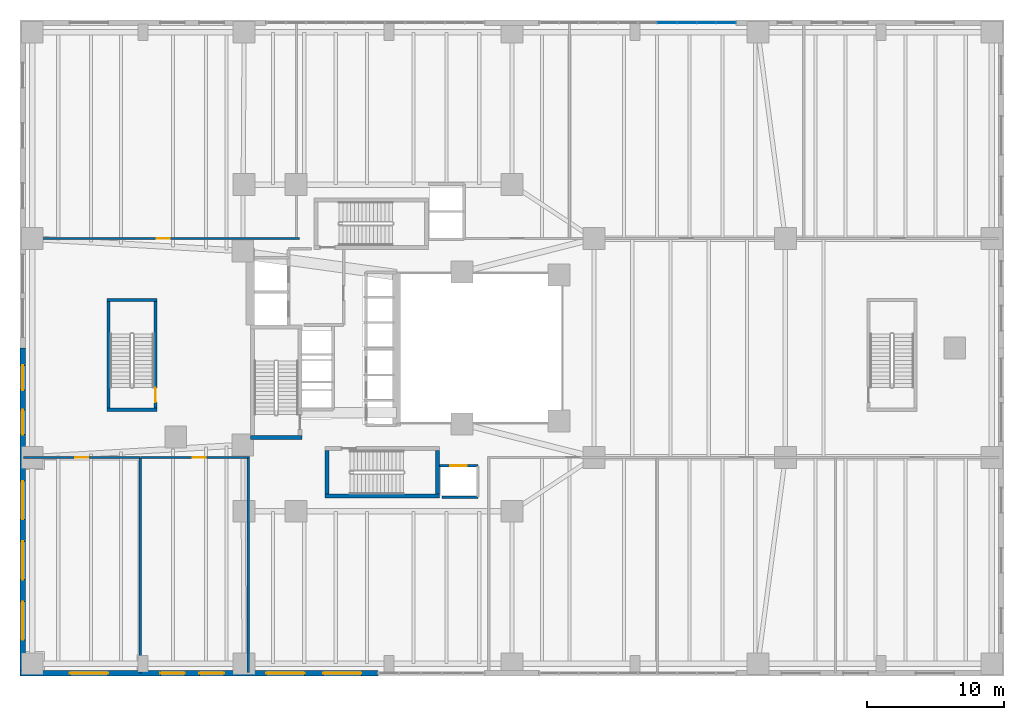
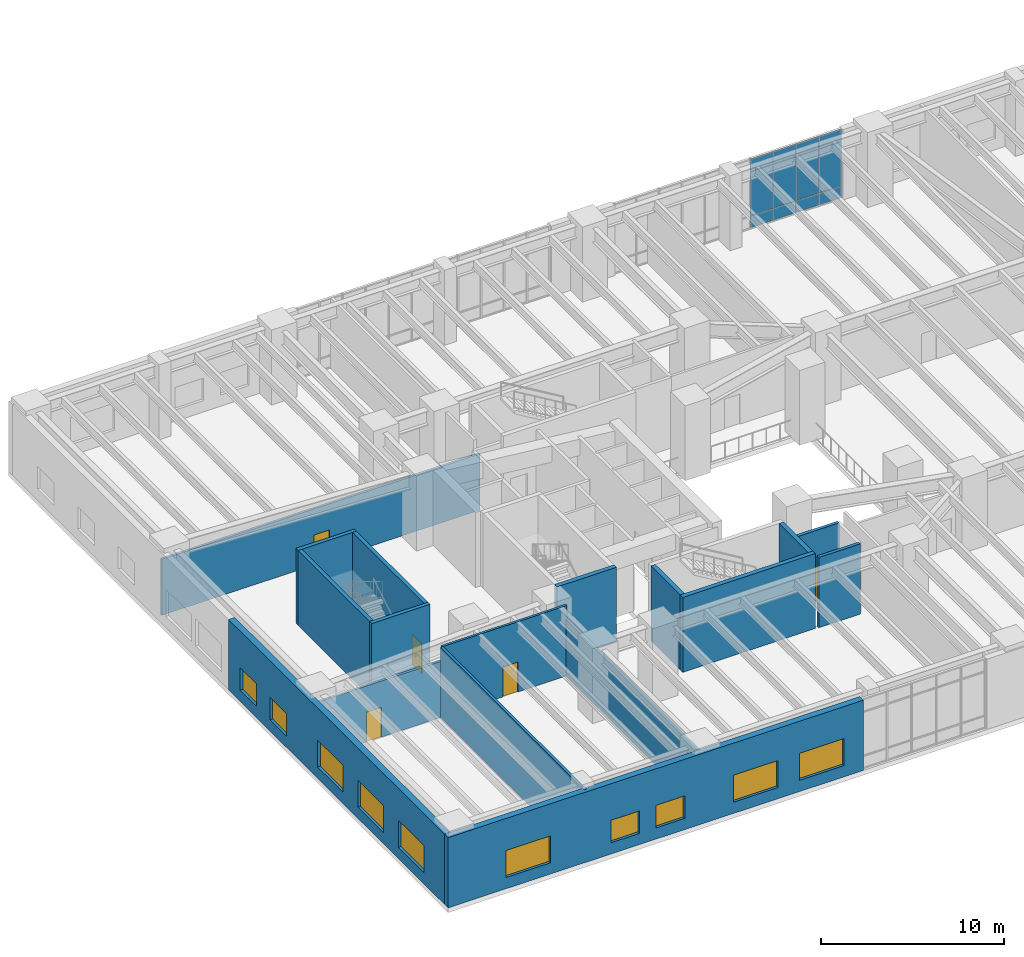
# One storey, part 21 of 26: 17 walls, 12 plates, 10 windows, 5 doors, 15 openings, 1 element without a shape of its own.
"""IFC4 building model written with IfcOpenShell, lengths in metres."""

from ifc_helpers import new_model, si_unit, direction, frame, frame_2d, origin, origin_2d, place, context, subcontext, project, spatial, rectangle, extrude, material, layer, layer_set, type_object, element, fill, aggregate, save


model = new_model("IFC4")

# Units and contexts
model_context = context("Model", 3, precision=1e-05, world=origin(), true_north=direction((0.0, 1.0)))
body_context = subcontext(model_context, "Body", "Model", "MODEL_VIEW")
ifc_project = project(units=[si_unit("LENGTHUNIT", "METRE"), si_unit("AREAUNIT", "SQUARE_METRE"), si_unit("VOLUMEUNIT", "CUBIC_METRE"), si_unit("PLANEANGLEUNIT", "RADIAN"), si_unit("MASSUNIT", "GRAM", prefix="KILO"), si_unit("THERMODYNAMICTEMPERATUREUNIT", "KELVIN"), si_unit("POWERUNIT", "WATT")], contexts=[model_context])

# Site, building, storey
site_placement = place(None, origin())
site = spatial("IfcSite", under=ifc_project, at=site_placement, CompositionType="ELEMENT")
building_placement = place(site_placement, origin())
building = spatial("IfcBuilding", under=site, at=building_placement, Name="Skarre Station Tower", CompositionType="ELEMENT")
storey_placement = place(building_placement, frame((0.0, 0.0, 6.0)))
storey = spatial("IfcBuildingStorey", under=building, at=storey_placement, Name="L02", CompositionType="ELEMENT", Elevation=6.0)

# Curtain wall, plates
ifc_material_1 = material(Name="Thermally Broken Bronze-Anodized Aluminium & Triple Low-E Glass", Category="aluminium")
ifc_layer_1 = layer(ifc_material_1, 0.199951171875, Name="Thermally Broken Bronze-Anodized Aluminium & Triple Low-E Glass")
ifc_layer_set_1 = layer_set([ifc_layer_1], Name="Thermally Broken Bronze-Anodized Aluminium & Triple Low-E Glass")
curtain_wall_type = type_object("IfcCurtainWallType", Name="Podium Transit Arcade Stick Curtain Wall", PredefinedType="NOTDEFINED", material=ifc_layer_set_1)
curtain_wall_placement = place(storey_placement, origin())
curtain_wall = element("IfcCurtainWall", 1, at=curtain_wall_placement, inside=storey, type_object=curtain_wall_type, Name="L02 North Drop-Off Portal Curtain Wall", PredefinedType="NOTDEFINED")
ifc_material_2 = material(Name="Insulated Bronze Anodized Aluminium Spandrel", Category="aluminium")
ifc_layer_2 = layer(ifc_material_2, 0.052001953125, Name="Insulated Bronze Anodized Aluminium Spandrel")
ifc_layer_set_2 = layer_set([ifc_layer_2], Name="Insulated Bronze Anodized Aluminium Spandrel")
plate_type_1 = type_object("IfcPlateType", Name="Bronze Insulated Spandrel Sheet Panel 52", PredefinedType="SHEET", material=ifc_layer_set_2)
plate_1_placement = place(storey_placement, frame((47.360107421875, 47.800048828125, 0.05224609375), z_axis=(0.0, 0.0, 1.0), x_axis=(1.0, 0.0, 0.0)))
plate_1 = element("IfcPlate", 2, at=plate_1_placement, type_object=plate_type_1, Name="L02 North Drop-Off Portal Curtain Wall Spandrel Panel 7-1", PredefinedType="SHEET", context=body_context, shape_type="SweptSolid", body=[
    extrude(rectangle(XDim=1.416015625, YDim=0.052001953125, at=origin_2d()), origin(), (0.0, 0.0, 1.0), 0.785888671875),
])
plate_2_placement = place(storey_placement, frame((48.800048828125, 47.800048828125, 0.05224609375), z_axis=(0.0, 0.0, 1.0), x_axis=(1.0, 0.0, 0.0)))
plate_2 = element("IfcPlate", 3, at=plate_2_placement, type_object=plate_type_1, Name="L02 North Drop-Off Portal Curtain Wall Spandrel Panel 8-1", PredefinedType="SHEET", context=body_context, shape_type="SweptSolid", body=[
    extrude(rectangle(XDim=1.416015625, YDim=0.052001953125, at=origin_2d()), origin(), (0.0, 0.0, 1.0), 0.785888671875),
])
plate_3_placement = place(storey_placement, frame((50.239990234375, 47.800048828125, 0.05224609375), z_axis=(0.0, 0.0, 1.0), x_axis=(1.0, 0.0, 0.0)))
plate_3 = element("IfcPlate", 4, at=plate_3_placement, type_object=plate_type_1, Name="L02 North Drop-Off Portal Curtain Wall Spandrel Panel 9-1", PredefinedType="SHEET", context=body_context, shape_type="SweptSolid", body=[
    extrude(rectangle(XDim=1.416015625, YDim=0.052001953125, at=origin_2d()), origin(), (0.0, 0.0, 1.0), 0.785888671875),
])
plate_4_placement = place(storey_placement, frame((51.679931640625, 47.800048828125, 0.05224609375), z_axis=(0.0, 0.0, 1.0), x_axis=(1.0, 0.0, 0.0)))
plate_4 = element("IfcPlate", 5, at=plate_4_placement, type_object=plate_type_1, Name="L02 North Drop-Off Portal Curtain Wall Spandrel Panel 10-1", PredefinedType="SHEET", context=body_context, shape_type="SweptSolid", body=[
    extrude(rectangle(XDim=1.416015625, YDim=0.052001953125, at=origin_2d()), origin(), (0.0, 0.0, 1.0), 0.785888671875),
])
ifc_material_3 = material(Name="Low-Iron Triple Insulating Glass Unit", Category="glass")
ifc_layer_3 = layer(ifc_material_3, 0.0439453125, Name="Low-Iron Triple Insulating Glass Unit")
ifc_layer_set_3 = layer_set([ifc_layer_3], Name="Low-Iron Triple Insulating Glass Unit")
plate_type_2 = type_object("IfcPlateType", Name="Triple-Glazed Vision Curtain Panel 44", PredefinedType="CURTAIN_PANEL", material=ifc_layer_set_3)
plate_5_placement = place(storey_placement, frame((47.360107421875, 47.800048828125, 0.862060546875), z_axis=(0.0, 0.0, 1.0), x_axis=(1.0, 0.0, 0.0)))
plate_5 = element("IfcPlate", 6, at=plate_5_placement, type_object=plate_type_2, Name="L02 North Drop-Off Portal Curtain Wall Vision Panel 7-2", PredefinedType="CURTAIN_PANEL", context=body_context, shape_type="SweptSolid", body=[
    extrude(rectangle(XDim=1.416015625, YDim=0.0439453125, at=origin_2d()), origin(), (0.0, 0.0, 1.0), 2.916015625),
])
plate_6_placement = place(storey_placement, frame((47.360107421875, 47.800048828125, 3.802001953125), z_axis=(0.0, 0.0, 1.0), x_axis=(1.0, 0.0, 0.0)))
plate_6 = element("IfcPlate", 7, at=plate_6_placement, type_object=plate_type_2, Name="L02 North Drop-Off Portal Curtain Wall Vision Panel 7-3", PredefinedType="CURTAIN_PANEL", context=body_context, shape_type="SweptSolid", body=[
    extrude(rectangle(XDim=1.416015625, YDim=0.0439453125, at=origin_2d()), origin(), (0.0, 0.0, 1.0), 0.8359375),
])
plate_7_placement = place(storey_placement, frame((48.800048828125, 47.800048828125, 0.862060546875), z_axis=(0.0, 0.0, 1.0), x_axis=(1.0, 0.0, 0.0)))
plate_7 = element("IfcPlate", 8, at=plate_7_placement, type_object=plate_type_2, Name="L02 North Drop-Off Portal Curtain Wall Vision Panel 8-2", PredefinedType="CURTAIN_PANEL", context=body_context, shape_type="SweptSolid", body=[
    extrude(rectangle(XDim=1.416015625, YDim=0.0439453125, at=origin_2d()), origin(), (0.0, 0.0, 1.0), 2.916015625),
])
plate_8_placement = place(storey_placement, frame((48.800048828125, 47.800048828125, 3.802001953125), z_axis=(0.0, 0.0, 1.0), x_axis=(1.0, 0.0, 0.0)))
plate_8 = element("IfcPlate", 9, at=plate_8_placement, type_object=plate_type_2, Name="L02 North Drop-Off Portal Curtain Wall Vision Panel 8-3", PredefinedType="CURTAIN_PANEL", context=body_context, shape_type="SweptSolid", body=[
    extrude(rectangle(XDim=1.416015625, YDim=0.0439453125, at=origin_2d()), origin(), (0.0, 0.0, 1.0), 0.8359375),
])
plate_9_placement = place(storey_placement, frame((50.239990234375, 47.800048828125, 0.862060546875), z_axis=(0.0, 0.0, 1.0), x_axis=(1.0, 0.0, 0.0)))
plate_9 = element("IfcPlate", 10, at=plate_9_placement, type_object=plate_type_2, Name="L02 North Drop-Off Portal Curtain Wall Vision Panel 9-2", PredefinedType="CURTAIN_PANEL", context=body_context, shape_type="SweptSolid", body=[
    extrude(rectangle(XDim=1.416015625, YDim=0.0439453125, at=origin_2d()), origin(), (0.0, 0.0, 1.0), 2.916015625),
])
plate_10_placement = place(storey_placement, frame((50.239990234375, 47.800048828125, 3.802001953125), z_axis=(0.0, 0.0, 1.0), x_axis=(1.0, 0.0, 0.0)))
plate_10 = element("IfcPlate", 11, at=plate_10_placement, type_object=plate_type_2, Name="L02 North Drop-Off Portal Curtain Wall Vision Panel 9-3", PredefinedType="CURTAIN_PANEL", context=body_context, shape_type="SweptSolid", body=[
    extrude(rectangle(XDim=1.416015625, YDim=0.0439453125, at=origin_2d()), origin(), (0.0, 0.0, 1.0), 0.8359375),
])
plate_11_placement = place(storey_placement, frame((51.679931640625, 47.800048828125, 0.862060546875), z_axis=(0.0, 0.0, 1.0), x_axis=(1.0, 0.0, 0.0)))
plate_11 = element("IfcPlate", 12, at=plate_11_placement, type_object=plate_type_2, Name="L02 North Drop-Off Portal Curtain Wall Vision Panel 10-2", PredefinedType="CURTAIN_PANEL", context=body_context, shape_type="SweptSolid", body=[
    extrude(rectangle(XDim=1.416015625, YDim=0.0439453125, at=origin_2d()), origin(), (0.0, 0.0, 1.0), 2.916015625),
])
plate_12_placement = place(storey_placement, frame((51.679931640625, 47.800048828125, 3.802001953125), z_axis=(0.0, 0.0, 1.0), x_axis=(1.0, 0.0, 0.0)))
plate_12 = element("IfcPlate", 13, at=plate_12_placement, type_object=plate_type_2, Name="L02 North Drop-Off Portal Curtain Wall Vision Panel 10-3", PredefinedType="CURTAIN_PANEL", context=body_context, shape_type="SweptSolid", body=[
    extrude(rectangle(XDim=1.416015625, YDim=0.0439453125, at=origin_2d()), origin(), (0.0, 0.0, 1.0), 0.8359375),
])
aggregate(curtain_wall, [plate_1, plate_5, plate_6, plate_2, plate_7, plate_8, plate_3, plate_9, plate_10, plate_4, plate_11, plate_12])

# Wall, opening, door
ifc_material_4 = material(Name="Acoustic Steel-Stud Gypsum Partition", Category="steel")
ifc_layer_4 = layer(ifc_material_4, 0.14990234375, Name="Acoustic Steel-Stud Gypsum Partition")
ifc_layer_set_4 = layer_set([ifc_layer_4], Name="Acoustic Steel-Stud Gypsum Partition")
wall_type_1 = type_object("IfcWallType", Name="Fire-Rated Corridor Acoustic Partition 150", PredefinedType="PARTITIONING", material=ifc_layer_set_4)
wall_1_placement = place(storey_placement, frame((0.239990234375, 15.97998046875, 0.0), z_axis=(0.0, 0.0, 1.0), x_axis=(1.0, 0.0, 0.0)))
wall_1 = element("IfcWall", 14, at=wall_1_placement, inside=storey, type_object=wall_type_1, Name="L02 Interior Partition WL-PT-L02-PDSW1-CW", PredefinedType="PARTITIONING", context=body_context, shape_type="SweptSolid", body=[
    extrude(rectangle(XDim=8.532958984375, YDim=0.14990234375, at=frame_2d((4.2666015625, 0.0))), origin(), (0.0, 0.0, 1.0), 3.741943359375),
])
opening_1_placement = place(wall_1_placement, frame((3.787109375, 0.0, 0.0)))
opening_1 = element("IfcOpeningElement", 15, at=opening_1_placement, cuts=wall_1, Name="Opening DR-FD60", PredefinedType="OPENING", context=body_context, shape_type="SweptSolid", body=[
    extrude(rectangle(XDim=0.9599609375, YDim=2.0, at=frame_2d((0.47998046875, 1.0))), frame((0.0, 0.0849609375, 0.0), z_axis=(0.0, -1.0, 0.0), x_axis=(1.0, 0.0, 0.0)), (0.0, 0.0, 1.0), 0.169921875),
])
ifc_material_5 = material(Name="Nordic White-Oak Veneer Solid-Core Fire Leaf", Category="wood")
door_type_1 = type_object("IfcDoorType", Name="Corridor Suite Entry Fire Door FD60 960x2150", OperationType="SINGLE_SWING_LEFT", PredefinedType="DOOR", material=ifc_material_5)
door_1_placement = place(opening_1_placement, origin())
door_1 = element("IfcDoor", 16, at=door_1_placement, inside=storey, type_object=door_type_1, Name="L02 PDSW1 Entry Door", OperationType="SINGLE_SWING_LEFT", OverallHeight=2.0, OverallWidth=0.9599609375, PredefinedType="DOOR", context=body_context, shape_type="SweptSolid", body=[
    extrude(rectangle(XDim=0.9599609375, YDim=2.0, at=frame_2d((0.47998046875, 1.0))), frame((0.0, 0.02490234375, 0.0), z_axis=(0.0, -1.0, 0.0), x_axis=(1.0, 0.0, 0.0)), (0.0, 0.0, 1.0), 0.050048828125),
])
fill(opening_1, door_1)

wall_2_placement = place(storey_placement, frame((8.824951171875, 15.97998046875, 0.0), z_axis=(0.0, 0.0, 1.0), x_axis=(1.0, 0.0, 0.0)))
wall_2 = element("IfcWall", 17, at=wall_2_placement, inside=storey, type_object=wall_type_1, Name="L02 Interior Partition WL-PT-L02-PDSW2-CW", PredefinedType="PARTITIONING", context=body_context, shape_type="SweptSolid", body=[
    extrude(rectangle(XDim=7.875, YDim=0.14990234375, at=frame_2d((3.9375, 0.0))), origin(), (0.0, 0.0, 1.0), 4.68994140625),
])
opening_2_placement = place(wall_2_placement, frame((3.80810546875, 0.0, 0.0)))
opening_2 = element("IfcOpeningElement", 18, at=opening_2_placement, cuts=wall_2, Name="Opening DR-FD60", PredefinedType="OPENING", context=body_context, shape_type="SweptSolid", body=[
    extrude(rectangle(XDim=0.9599609375, YDim=2.0, at=frame_2d((0.47998046875, 1.0))), frame((0.0, 0.0849609375, 0.0), z_axis=(0.0, -1.0, 0.0), x_axis=(1.0, 0.0, 0.0)), (0.0, 0.0, 1.0), 0.169921875),
])
door_2_placement = place(opening_2_placement, origin())
door_2 = element("IfcDoor", 19, at=door_2_placement, inside=storey, type_object=door_type_1, Name="L02 PDSW2 Entry Door", OperationType="SINGLE_SWING_LEFT", OverallHeight=2.0, OverallWidth=0.9599609375, PredefinedType="DOOR", context=body_context, shape_type="SweptSolid", body=[
    extrude(rectangle(XDim=0.9599609375, YDim=2.0, at=frame_2d((0.47998046875, 1.0))), frame((0.0, 0.02490234375, 0.0), z_axis=(0.0, -1.0, 0.0), x_axis=(1.0, 0.0, 0.0)), (0.0, 0.0, 1.0), 0.050048828125),
])
fill(opening_2, door_2)

wall_3_placement = place(storey_placement, frame((20.449951171875, 32.02001953125, 0.0), z_axis=(0.0, 0.0, 1.0), x_axis=(-1.0, 0.0, 0.0)))
wall_3 = element("IfcWall", 20, at=wall_3_placement, inside=storey, type_object=wall_type_1, Name="L02 Interior Partition WL-PT-L02-PDN1-CW", PredefinedType="PARTITIONING", context=body_context, shape_type="SweptSolid", body=[
    extrude(rectangle(XDim=20.054931640625, YDim=0.14990234375, at=frame_2d((10.02734375, 0.0))), origin(), (0.0, 0.0, 1.0), 3.741943359375),
])
opening_3_placement = place(wall_3_placement, frame((9.5, 0.0, 0.0)))
opening_3 = element("IfcOpeningElement", 21, at=opening_3_placement, cuts=wall_3, Name="Opening DR-FD60", PredefinedType="OPENING", context=body_context, shape_type="SweptSolid", body=[
    extrude(rectangle(XDim=0.9599609375, YDim=2.0, at=frame_2d((0.47998046875, 1.0))), frame((0.0, 0.0849609375, 0.0), z_axis=(0.0, -1.0, 0.0), x_axis=(1.0, 0.0, 0.0)), (0.0, 0.0, 1.0), 0.169921875),
])
door_3_placement = place(opening_3_placement, origin())
door_3 = element("IfcDoor", 22, at=door_3_placement, inside=storey, type_object=door_type_1, Name="L02 PDN1 Entry Door", OperationType="SINGLE_SWING_LEFT", OverallHeight=2.0, OverallWidth=0.9599609375, PredefinedType="DOOR", context=body_context, shape_type="SweptSolid", body=[
    extrude(rectangle(XDim=0.9599609375, YDim=2.0, at=frame_2d((0.47998046875, 1.0))), frame((0.0, 0.02490234375, 0.0), z_axis=(0.0, -1.0, 0.0), x_axis=(1.0, 0.0, 0.0)), (0.0, 0.0, 1.0), 0.050048828125),
])
fill(opening_3, door_3)

# Wall, openings, windows
ifc_material_6 = material(Name="Precast concrete C45/55", Category="concrete")
ifc_layer_5 = layer(ifc_material_6, 0.39990234375, Name="Precast concrete C45/55")
ifc_layer_set_5 = layer_set([ifc_layer_5], Name="Precast concrete C45/55")
wall_type_2 = type_object("IfcWallType", Name="Nordic Granite Station Podium Wall 400", PredefinedType="STANDARD", material=ifc_layer_set_5)
wall_4_placement = place(storey_placement, frame((26.199951171875, 0.199951171875, 0.0), z_axis=(0.0, 0.0, 1.0), x_axis=(-1.0, 0.0, 0.0)))
wall_4 = element("IfcWall", 23, at=wall_4_placement, inside=storey, type_object=wall_type_2, Name="L02 South Podium Granite Wall SC", PredefinedType="STANDARD", context=body_context, shape_type="SweptSolid", body=[
    extrude(rectangle(XDim=26.199951171875, YDim=0.39990234375, at=frame_2d((13.10009765625, 0.0))), origin(), (0.0, 0.0, 1.0), 4.68994140625),
])
opening_4_placement = place(wall_4_placement, frame((1.22802734375, 0.0, 0.75)))
opening_4 = element("IfcOpeningElement", 24, at=opening_4_placement, cuts=wall_4, Name="Opening WN-POD", PredefinedType="OPENING", context=body_context, shape_type="SweptSolid", body=[
    extrude(rectangle(XDim=2.800048828125, YDim=1.800048828125, at=frame_2d((1.39990234375, 0.89990234375))), frame((0.0, 0.2099609375, 0.0), z_axis=(0.0, -1.0, 0.0), x_axis=(1.0, 0.0, 0.0)), (0.0, 0.0, 1.0), 0.419921875),
])
opening_5_placement = place(wall_4_placement, frame((5.383056640625, 0.0, 0.75)))
opening_5 = element("IfcOpeningElement", 25, at=opening_5_placement, cuts=wall_4, Name="Opening WN-POD", PredefinedType="OPENING", context=body_context, shape_type="SweptSolid", body=[
    extrude(rectangle(XDim=2.800048828125, YDim=1.800048828125, at=frame_2d((1.39990234375, 0.89990234375))), frame((0.0, 0.2099609375, 0.0), z_axis=(0.0, -1.0, 0.0), x_axis=(1.0, 0.0, 0.0)), (0.0, 0.0, 1.0), 0.419921875),
])
opening_6_placement = place(wall_4_placement, frame((11.27001953125, 0.0, 0.75)))
opening_6 = element("IfcOpeningElement", 26, at=opening_6_placement, cuts=wall_4, Name="Opening WN-Z1A", PredefinedType="OPENING", context=body_context, shape_type="SweptSolid", body=[
    extrude(rectangle(XDim=1.800048828125, YDim=1.5, at=frame_2d((0.89990234375, 0.75))), frame((0.0, 0.2099609375, 0.0), z_axis=(0.0, -1.0, 0.0), x_axis=(1.0, 0.0, 0.0)), (0.0, 0.0, 1.0), 0.419921875),
])
opening_7_placement = place(wall_4_placement, frame((14.1298828125, 0.0, 0.75)))
opening_7 = element("IfcOpeningElement", 27, at=opening_7_placement, cuts=wall_4, Name="Opening WN-Z1A", PredefinedType="OPENING", context=body_context, shape_type="SweptSolid", body=[
    extrude(rectangle(XDim=1.800048828125, YDim=1.5, at=frame_2d((0.89990234375, 0.75))), frame((0.0, 0.2099609375, 0.0), z_axis=(0.0, -1.0, 0.0), x_axis=(1.0, 0.0, 0.0)), (0.0, 0.0, 1.0), 0.419921875),
])
opening_8_placement = place(wall_4_placement, frame((19.75, 0.0, 0.75)))
opening_8 = element("IfcOpeningElement", 28, at=opening_8_placement, cuts=wall_4, Name="Opening WN-POD", PredefinedType="OPENING", context=body_context, shape_type="SweptSolid", body=[
    extrude(rectangle(XDim=2.800048828125, YDim=1.800048828125, at=frame_2d((1.39990234375, 0.89990234375))), frame((0.0, 0.2099609375, 0.0), z_axis=(0.0, -1.0, 0.0), x_axis=(1.0, 0.0, 0.0)), (0.0, 0.0, 1.0), 0.419921875),
])
ifc_material_7 = material(Name="Low-Iron Triple Glazing with Bronze Anodized Frame", Category="glass")
window_type_1 = type_object("IfcWindowType", Name="Nordic Punched Triple-Glazed Window 1800x1500", PartitioningType="SINGLE_PANEL", PredefinedType="WINDOW", material=ifc_material_7)
window_1_placement = place(opening_6_placement, origin())
window_1 = element("IfcWindow", 29, at=window_1_placement, inside=storey, type_object=window_type_1, Name="L02 Facade Window WL-POD-L02-SC-3", OverallHeight=1.5, OverallWidth=1.800048828125, PartitioningType="SINGLE_PANEL", PredefinedType="WINDOW", context=body_context, shape_type="SweptSolid", body=[
    extrude(rectangle(XDim=1.800048828125, YDim=1.5, at=frame_2d((0.89990234375, 0.75))), frame((0.0, 0.030029296875, 0.0), z_axis=(0.0, -1.0, 0.0), x_axis=(1.0, 0.0, 0.0)), (0.0, 0.0, 1.0), 0.06005859375),
])
fill(opening_6, window_1)
window_2_placement = place(opening_7_placement, origin())
window_2 = element("IfcWindow", 30, at=window_2_placement, inside=storey, type_object=window_type_1, Name="L02 Facade Window WL-POD-L02-SC-4", OverallHeight=1.5, OverallWidth=1.800048828125, PartitioningType="SINGLE_PANEL", PredefinedType="WINDOW", context=body_context, shape_type="SweptSolid", body=[
    extrude(rectangle(XDim=1.800048828125, YDim=1.5, at=frame_2d((0.89990234375, 0.75))), frame((0.0, 0.030029296875, 0.0), z_axis=(0.0, -1.0, 0.0), x_axis=(1.0, 0.0, 0.0)), (0.0, 0.0, 1.0), 0.06005859375),
])
fill(opening_7, window_2)
window_type_2 = type_object("IfcWindowType", Name="Podium Clerestory Ribbon Window 2800x1800", PartitioningType="SINGLE_PANEL", PredefinedType="WINDOW", material=ifc_material_7)
window_3_placement = place(opening_4_placement, origin())
window_3 = element("IfcWindow", 31, at=window_3_placement, inside=storey, type_object=window_type_2, Name="L02 Facade Window WL-POD-L02-SC-1", OverallHeight=1.800048828125, OverallWidth=2.800048828125, PartitioningType="SINGLE_PANEL", PredefinedType="WINDOW", context=body_context, shape_type="SweptSolid", body=[
    extrude(rectangle(XDim=2.800048828125, YDim=1.800048828125, at=frame_2d((1.39990234375, 0.89990234375))), frame((0.0, 0.030029296875, 0.0), z_axis=(0.0, -1.0, 0.0), x_axis=(1.0, 0.0, 0.0)), (0.0, 0.0, 1.0), 0.06005859375),
])
fill(opening_4, window_3)
window_4_placement = place(opening_5_placement, origin())
window_4 = element("IfcWindow", 32, at=window_4_placement, inside=storey, type_object=window_type_2, Name="L02 Facade Window WL-POD-L02-SC-2", OverallHeight=1.800048828125, OverallWidth=2.800048828125, PartitioningType="SINGLE_PANEL", PredefinedType="WINDOW", context=body_context, shape_type="SweptSolid", body=[
    extrude(rectangle(XDim=2.800048828125, YDim=1.800048828125, at=frame_2d((1.39990234375, 0.89990234375))), frame((0.0, 0.030029296875, 0.0), z_axis=(0.0, -1.0, 0.0), x_axis=(1.0, 0.0, 0.0)), (0.0, 0.0, 1.0), 0.06005859375),
])
fill(opening_5, window_4)
window_5_placement = place(opening_8_placement, origin())
window_5 = element("IfcWindow", 33, at=window_5_placement, inside=storey, type_object=window_type_2, Name="L02 Facade Window WL-POD-L02-SC-5", OverallHeight=1.800048828125, OverallWidth=2.800048828125, PartitioningType="SINGLE_PANEL", PredefinedType="WINDOW", context=body_context, shape_type="SweptSolid", body=[
    extrude(rectangle(XDim=2.800048828125, YDim=1.800048828125, at=frame_2d((1.39990234375, 0.89990234375))), frame((0.0, 0.030029296875, 0.0), z_axis=(0.0, -1.0, 0.0), x_axis=(1.0, 0.0, 0.0)), (0.0, 0.0, 1.0), 0.06005859375),
])
fill(opening_8, window_5)

wall_5_placement = place(storey_placement, frame((0.199951171875, 0.39990234375, 0.0), z_axis=(0.0, 0.0, 1.0), x_axis=(0.0, 1.0, 0.0)))
wall_5 = element("IfcWall", 34, at=wall_5_placement, inside=storey, type_object=wall_type_2, Name="L02 Podium Granite Wall WA", PredefinedType="STANDARD", context=body_context, shape_type="SweptSolid", body=[
    extrude(rectangle(XDim=23.60009765625, YDim=0.39990234375, at=frame_2d((11.800048828125, 0.0))), origin(), (0.0, 0.0, 1.0), 4.68994140625),
])
opening_9_placement = place(wall_5_placement, frame((2.242919921875, 0.0, 0.75)))
opening_9 = element("IfcOpeningElement", 35, at=opening_9_placement, cuts=wall_5, Name="Opening WN-POD", PredefinedType="OPENING", context=body_context, shape_type="SweptSolid", body=[
    extrude(rectangle(XDim=2.800048828125, YDim=1.800048828125, at=frame_2d((1.39990234375, 0.89990234375))), frame((0.0, 0.2099609375, 0.0), z_axis=(0.0, -1.0, 0.0), x_axis=(1.0, 0.0, 0.0)), (0.0, 0.0, 1.0), 0.419921875),
])
opening_10_placement = place(wall_5_placement, frame((6.64990234375, 0.0, 0.75)))
opening_10 = element("IfcOpeningElement", 36, at=opening_10_placement, cuts=wall_5, Name="Opening WN-POD", PredefinedType="OPENING", context=body_context, shape_type="SweptSolid", body=[
    extrude(rectangle(XDim=2.800048828125, YDim=1.800048828125, at=frame_2d((1.39990234375, 0.89990234375))), frame((0.0, 0.2099609375, 0.0), z_axis=(0.0, -1.0, 0.0), x_axis=(1.0, 0.0, 0.0)), (0.0, 0.0, 1.0), 0.419921875),
])
opening_11_placement = place(wall_5_placement, frame((11.056884765625, 0.0, 0.75)))
opening_11 = element("IfcOpeningElement", 37, at=opening_11_placement, cuts=wall_5, Name="Opening WN-POD", PredefinedType="OPENING", context=body_context, shape_type="SweptSolid", body=[
    extrude(rectangle(XDim=2.800048828125, YDim=1.800048828125, at=frame_2d((1.39990234375, 0.89990234375))), frame((0.0, 0.2099609375, 0.0), z_axis=(0.0, -1.0, 0.0), x_axis=(1.0, 0.0, 0.0)), (0.0, 0.0, 1.0), 0.419921875),
])
opening_12_placement = place(wall_5_placement, frame((17.26806640625, 0.0, 0.75)))
opening_12 = element("IfcOpeningElement", 38, at=opening_12_placement, cuts=wall_5, Name="Opening WN-Z1A", PredefinedType="OPENING", context=body_context, shape_type="SweptSolid", body=[
    extrude(rectangle(XDim=1.800048828125, YDim=1.5, at=frame_2d((0.89990234375, 0.75))), frame((0.0, 0.2099609375, 0.0), z_axis=(0.0, -1.0, 0.0), x_axis=(1.0, 0.0, 0.0)), (0.0, 0.0, 1.0), 0.419921875),
])
opening_13_placement = place(wall_5_placement, frame((20.52294921875, 0.0, 0.75)))
opening_13 = element("IfcOpeningElement", 39, at=opening_13_placement, cuts=wall_5, Name="Opening WN-Z1A", PredefinedType="OPENING", context=body_context, shape_type="SweptSolid", body=[
    extrude(rectangle(XDim=1.800048828125, YDim=1.5, at=frame_2d((0.89990234375, 0.75))), frame((0.0, 0.2099609375, 0.0), z_axis=(0.0, -1.0, 0.0), x_axis=(1.0, 0.0, 0.0)), (0.0, 0.0, 1.0), 0.419921875),
])
window_6_placement = place(opening_12_placement, origin())
window_6 = element("IfcWindow", 40, at=window_6_placement, inside=storey, type_object=window_type_1, Name="L02 Facade Window WL-POD-L02-WA-4", OverallHeight=1.5, OverallWidth=1.800048828125, PartitioningType="SINGLE_PANEL", PredefinedType="WINDOW", context=body_context, shape_type="SweptSolid", body=[
    extrude(rectangle(XDim=1.800048828125, YDim=1.5, at=frame_2d((0.89990234375, 0.75))), frame((0.0, 0.030029296875, 0.0), z_axis=(0.0, -1.0, 0.0), x_axis=(1.0, 0.0, 0.0)), (0.0, 0.0, 1.0), 0.06005859375),
])
fill(opening_12, window_6)
window_7_placement = place(opening_13_placement, origin())
window_7 = element("IfcWindow", 41, at=window_7_placement, inside=storey, type_object=window_type_1, Name="L02 Facade Window WL-POD-L02-WA-5", OverallHeight=1.5, OverallWidth=1.800048828125, PartitioningType="SINGLE_PANEL", PredefinedType="WINDOW", context=body_context, shape_type="SweptSolid", body=[
    extrude(rectangle(XDim=1.800048828125, YDim=1.5, at=frame_2d((0.89990234375, 0.75))), frame((0.0, 0.030029296875, 0.0), z_axis=(0.0, -1.0, 0.0), x_axis=(1.0, 0.0, 0.0)), (0.0, 0.0, 1.0), 0.06005859375),
])
fill(opening_13, window_7)
window_8_placement = place(opening_9_placement, origin())
window_8 = element("IfcWindow", 42, at=window_8_placement, inside=storey, type_object=window_type_2, Name="L02 Facade Window WL-POD-L02-WA-1", OverallHeight=1.800048828125, OverallWidth=2.800048828125, PartitioningType="SINGLE_PANEL", PredefinedType="WINDOW", context=body_context, shape_type="SweptSolid", body=[
    extrude(rectangle(XDim=2.800048828125, YDim=1.800048828125, at=frame_2d((1.39990234375, 0.89990234375))), frame((0.0, 0.030029296875, 0.0), z_axis=(0.0, -1.0, 0.0), x_axis=(1.0, 0.0, 0.0)), (0.0, 0.0, 1.0), 0.06005859375),
])
fill(opening_9, window_8)
window_9_placement = place(opening_10_placement, origin())
window_9 = element("IfcWindow", 43, at=window_9_placement, inside=storey, type_object=window_type_2, Name="L02 Facade Window WL-POD-L02-WA-2", OverallHeight=1.800048828125, OverallWidth=2.800048828125, PartitioningType="SINGLE_PANEL", PredefinedType="WINDOW", context=body_context, shape_type="SweptSolid", body=[
    extrude(rectangle(XDim=2.800048828125, YDim=1.800048828125, at=frame_2d((1.39990234375, 0.89990234375))), frame((0.0, 0.030029296875, 0.0), z_axis=(0.0, -1.0, 0.0), x_axis=(1.0, 0.0, 0.0)), (0.0, 0.0, 1.0), 0.06005859375),
])
fill(opening_10, window_9)
window_10_placement = place(opening_11_placement, origin())
window_10 = element("IfcWindow", 44, at=window_10_placement, inside=storey, type_object=window_type_2, Name="L02 Facade Window WL-POD-L02-WA-3", OverallHeight=1.800048828125, OverallWidth=2.800048828125, PartitioningType="SINGLE_PANEL", PredefinedType="WINDOW", context=body_context, shape_type="SweptSolid", body=[
    extrude(rectangle(XDim=2.800048828125, YDim=1.800048828125, at=frame_2d((1.39990234375, 0.89990234375))), frame((0.0, 0.030029296875, 0.0), z_axis=(0.0, -1.0, 0.0), x_axis=(1.0, 0.0, 0.0)), (0.0, 0.0, 1.0), 0.06005859375),
])
fill(opening_11, window_10)

# Walls
ifc_material_8 = material(Name="Concrete C50/60", Category="concrete")
ifc_layer_6 = layer(ifc_material_8, 0.239990234375, Name="Concrete C50/60")
ifc_layer_set_6 = layer_set([ifc_layer_6], Name="Concrete C50/60")
wall_type_3 = type_object("IfcWallType", Name="RC Core Shear Wall 240", PredefinedType="SHEAR", material=ifc_layer_set_6)
for number, where, z_axis, x_axis, name in (
    (45, (6.360107421875, 19.47998046875, 0.0), (0.0, 0.0, 1.0), (1.0, 0.0, 0.0), "L02 Podium Stair ST-4 South Shear Wall"),
    (46, (10.0400390625, 27.52001953125, 0.0), (0.0, 0.0, 1.0), (-1.0, 0.0, 0.0), "L02 Podium Stair ST-4 North Shear Wall"),
):
    element("IfcWall", number, at=place(storey_placement, frame(where, z_axis=z_axis, x_axis=x_axis)), inside=storey, type_object=wall_type_3, Name=name, PredefinedType="SHEAR", context=body_context, shape_type="SweptSolid", body=[
        extrude(rectangle(XDim=3.679931640625, YDim=0.239990234375, at=frame_2d((1.83984375, 0.0))), origin(), (0.0, 0.0, 1.0), 5.0),
    ])
wall_6_placement = place(storey_placement, frame((6.47998046875, 27.39990234375, 0.0), z_axis=(0.0, 0.0, 1.0), x_axis=(0.0, -1.0, 0.0)))
element("IfcWall", 47, at=wall_6_placement, inside=storey, type_object=wall_type_3, Name="L02 Podium Stair ST-4 West Shear Wall", PredefinedType="SHEAR", context=body_context, shape_type="SweptSolid", body=[
    extrude(rectangle(XDim=7.7998046875, YDim=0.239990234375, at=frame_2d((3.89990234375, 0.0))), origin(), (0.0, 0.0, 1.0), 5.0),
])

# Wall, opening, door
wall_7_placement = place(storey_placement, frame((9.919921875, 19.60009765625, 0.0), z_axis=(0.0, 0.0, 1.0), x_axis=(0.0, 1.0, 0.0)))
wall_7 = element("IfcWall", 48, at=wall_7_placement, inside=storey, type_object=wall_type_3, Name="L02 Podium Stair ST-4 East Shear Wall", PredefinedType="SHEAR", context=body_context, shape_type="SweptSolid", body=[
    extrude(rectangle(XDim=7.7998046875, YDim=0.239990234375, at=frame_2d((3.89990234375, 0.0))), origin(), (0.0, 0.0, 1.0), 5.0),
])
opening_14_placement = place(wall_7_placement, frame((0.43994140625, 0.0, 0.0)))
opening_14 = element("IfcOpeningElement", 49, at=opening_14_placement, cuts=wall_7, Name="Opening DR-FD90", PredefinedType="OPENING", context=body_context, shape_type="SweptSolid", body=[
    extrude(rectangle(XDim=1.050048828125, YDim=2.0, at=frame_2d((0.52490234375, 1.0))), frame((0.0, 0.1298828125, 0.0), z_axis=(0.0, -1.0, 0.0), x_axis=(1.0, 0.0, 0.0)), (0.0, 0.0, 1.0), 0.260009765625),
])
ifc_material_9 = material(Name="Fire-Rated Insulated Steel Frame & Timber Core Leaf", Category="steel")
door_type_2 = type_object("IfcDoorType", Name="Stair & FSAE Lobby Fire Door FD90 1050x2150", OperationType="SINGLE_SWING_RIGHT", PredefinedType="DOOR", material=ifc_material_9)
door_4_placement = place(opening_14_placement, origin())
door_4 = element("IfcDoor", 50, at=door_4_placement, inside=storey, type_object=door_type_2, Name="L02 Podium Stair ST-4 Exit Door", OperationType="SINGLE_SWING_RIGHT", OverallHeight=2.0, OverallWidth=1.050048828125, PredefinedType="DOOR", context=body_context, shape_type="SweptSolid", body=[
    extrude(rectangle(XDim=1.050048828125, YDim=2.0, at=frame_2d((0.52490234375, 1.0))), frame((0.0, 0.02490234375, 0.0), z_axis=(0.0, -1.0, 0.0), x_axis=(1.0, 0.0, 0.0)), (0.0, 0.0, 1.0), 0.050048828125),
])
fill(opening_14, door_4)

# Walls
ifc_layer_7 = layer(ifc_material_8, 0.280029296875, Name="Concrete C50/60")
ifc_layer_set_7 = layer_set([ifc_layer_7], Name="Concrete C50/60")
wall_type_4 = type_object("IfcWallType", Name="RC Core Shear Wall 280", PredefinedType="SHEAR", material=ifc_layer_set_7)
wall_8_placement = place(storey_placement, frame((16.8701171875, 17.4599609375, 0.0), z_axis=(0.0, 0.0, 1.0), x_axis=(1.0, 0.0, 0.0)))
element("IfcWall", 51, at=wall_8_placement, inside=storey, type_object=wall_type_4, Name="L02 Stair ST-1 South Shear Wall", PredefinedType="SHEAR", context=body_context, shape_type="SweptSolid", body=[
    extrude(rectangle(XDim=3.759765625, YDim=0.280029296875, at=frame_2d((1.8798828125, 0.0))), origin(), (0.0, 0.0, 1.0), 5.0),
])
wall_9_placement = place(storey_placement, frame((22.320068359375, 13.159912109375, 0.0), z_axis=(0.0, 0.0, 1.0), x_axis=(1.0, 0.0, 0.0)))
element("IfcWall", 52, at=wall_9_placement, inside=storey, type_object=wall_type_4, Name="L02 Stair ST-2 South Shear Wall", PredefinedType="SHEAR", context=body_context, shape_type="SweptSolid", body=[
    extrude(rectangle(XDim=8.35986328125, YDim=0.280029296875, at=frame_2d((4.179931640625, 0.0))), origin(), (0.0, 0.0, 1.0), 5.0),
])
for number, where, z_axis, x_axis, name in (
    (53, (22.4599609375, 16.5, 0.0), (0.0, 0.0, 1.0), (0.0, -1.0, 0.0), "L02 Stair ST-2 West Shear Wall"),
    (54, (30.5400390625, 13.300048828125, 0.0), (0.0, 0.0, 1.0), (0.0, 1.0, 0.0), "L02 Stair ST-2 East Shear Wall"),
):
    element("IfcWall", number, at=place(storey_placement, frame(where, z_axis=z_axis, x_axis=x_axis)), inside=storey, type_object=wall_type_4, Name=name, PredefinedType="SHEAR", context=body_context, shape_type="SweptSolid", body=[
        extrude(rectangle(XDim=3.199951171875, YDim=0.280029296875, at=frame_2d((1.60009765625, 0.0))), origin(), (0.0, 0.0, 1.0), 5.0),
    ])

# Wall, opening, door
ifc_material_10 = material(Name="Gypsum Concrete Shaft Assembly C30/37", Category="concrete")
ifc_layer_8 = layer(ifc_material_10, 0.199951171875, Name="Gypsum Concrete Shaft Assembly C30/37")
ifc_layer_set_8 = layer_set([ifc_layer_8], Name="Gypsum Concrete Shaft Assembly C30/37")
wall_type_5 = type_object("IfcWallType", Name="Shaft & Core Fire Partition 200", PredefinedType="PARTITIONING", material=ifc_layer_set_8)
wall_10_placement = place(storey_placement, frame((33.5, 15.3798828125, 0.0), z_axis=(0.0, 0.0, 1.0), x_axis=(-1.0, 0.0, 0.0)))
wall_10 = element("IfcWall", 55, at=wall_10_placement, inside=storey, type_object=wall_type_5, Name="L02 Interior Partition WL-PT-L02-SV1-N", PredefinedType="PARTITIONING", context=body_context, shape_type="SweptSolid", body=[
    extrude(rectangle(XDim=2.820068359375, YDim=0.199951171875, at=frame_2d((1.41015625, 0.0))), origin(), (0.0, 0.0, 1.0), 4.68994140625),
])
opening_15_placement = place(wall_10_placement, frame((0.800048828125, 0.0, 0.0)))
opening_15 = element("IfcOpeningElement", 56, at=opening_15_placement, cuts=wall_10, Name="Opening LD-SV1", PredefinedType="OPENING", context=body_context, shape_type="SweptSolid", body=[
    extrude(rectangle(XDim=1.199951171875, YDim=2.199951171875, at=frame_2d((0.60009765625, 1.10009765625))), frame((0.0, 0.10986328125, 0.0), z_axis=(0.0, -1.0, 0.0), x_axis=(1.0, 0.0, 0.0)), (0.0, 0.0, 1.0), 0.219970703125),
])
ifc_material_11 = material(Name="Heavy-Gauge Brushed Stainless Steel Sliding Leaves", Category="steel")
door_type_3 = type_object("IfcDoorType", Name="Service Elevator Wide Sliding Landing Door 1200x2200", OperationType="SLIDING_TO_RIGHT", PredefinedType="DOOR", material=ifc_material_11)
door_5_placement = place(opening_15_placement, origin())
door_5 = element("IfcDoor", 57, at=door_5_placement, inside=storey, type_object=door_type_3, Name="L02 Service Lift LF-SV1 Landing Door", OperationType="SLIDING_TO_RIGHT", OverallHeight=2.199951171875, OverallWidth=1.199951171875, PredefinedType="DOOR", context=body_context, shape_type="SweptSolid", body=[
    extrude(rectangle(XDim=1.199951171875, YDim=2.199951171875, at=frame_2d((0.60009765625, 1.10009765625))), frame((0.0, 0.02490234375, 0.0), z_axis=(0.0, -1.0, 0.0), x_axis=(1.0, 0.0, 0.0)), (0.0, 0.0, 1.0), 0.050048828125),
])
fill(opening_15, door_5)

# Walls
wall_11_placement = place(storey_placement, frame((30.87890625, 13.080078125, 0.0), z_axis=(0.0, 0.0, 1.0), x_axis=(1.0, 0.0, 0.0)))
element("IfcWall", 58, at=wall_11_placement, inside=storey, type_object=wall_type_5, Name="L02 Interior Partition WL-PT-L02-SV1-S", PredefinedType="PARTITIONING", context=body_context, shape_type="SweptSolid", body=[
    extrude(rectangle(XDim=2.62109375, YDim=0.199951171875, at=frame_2d((1.310546875, 0.0))), origin(), (0.0, 0.0, 1.0), 4.68994140625),
])
ifc_layer_9 = layer(ifc_material_4, 0.1650390625, Name="Acoustic Steel-Stud Gypsum Partition")
ifc_layer_set_9 = layer_set([ifc_layer_9], Name="Acoustic Steel-Stud Gypsum Partition")
wall_type_6 = type_object("IfcWallType", Name="Suite Demising Acoustic Partition 165", PredefinedType="PARTITIONING", material=ifc_layer_set_9)
wall_12_placement = place(storey_placement, frame((16.699951171875, 0.239990234375, 0.0), z_axis=(0.0, 0.0, 1.0), x_axis=(0.0, 1.0, 0.0)))
element("IfcWall", 59, at=wall_12_placement, inside=storey, type_object=wall_type_6, Name="L02 Interior Partition WL-PT-L02-PDSW-E", PredefinedType="PARTITIONING", context=body_context, shape_type="SweptSolid", body=[
    extrude(rectangle(XDim=15.81005859375, YDim=0.1650390625, at=frame_2d((7.905029296875, 0.0))), origin(), (0.0, 0.0, 1.0), 3.762939453125),
])
wall_13_placement = place(storey_placement, frame((8.799072265625, 0.22998046875, 0.0), z_axis=(0.0, 0.0, 1.0), x_axis=(0.0, 1.0, 0.0)))
element("IfcWall", 60, at=wall_13_placement, inside=storey, type_object=wall_type_6, Name="L02 Interior Partition WL-PT-L02-PDSW-P1", PredefinedType="PARTITIONING", context=body_context, shape_type="SweptSolid", body=[
    extrude(rectangle(XDim=15.679931640625, YDim=0.1650390625, at=frame_2d((7.83984375, 0.0))), origin(), (0.0, 0.0, 1.0), 4.68994140625),
])

save(model, "model.ifc")
